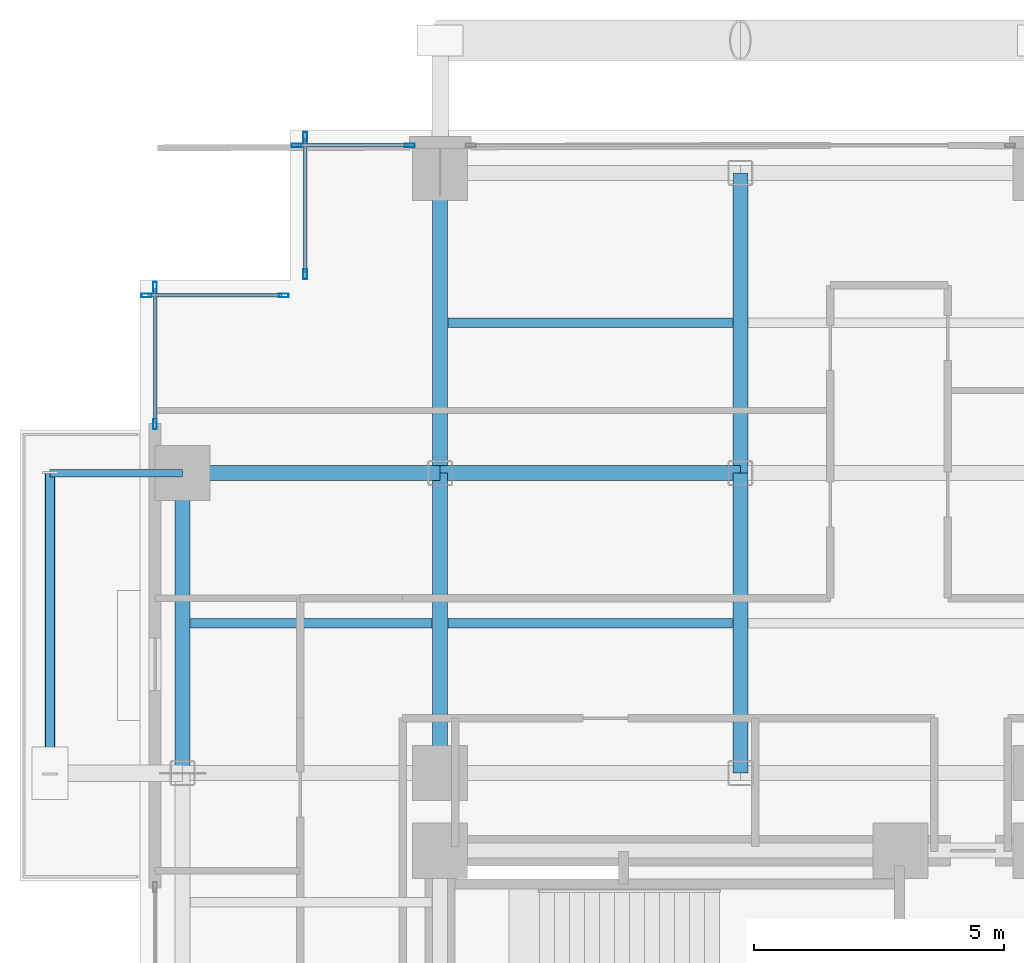
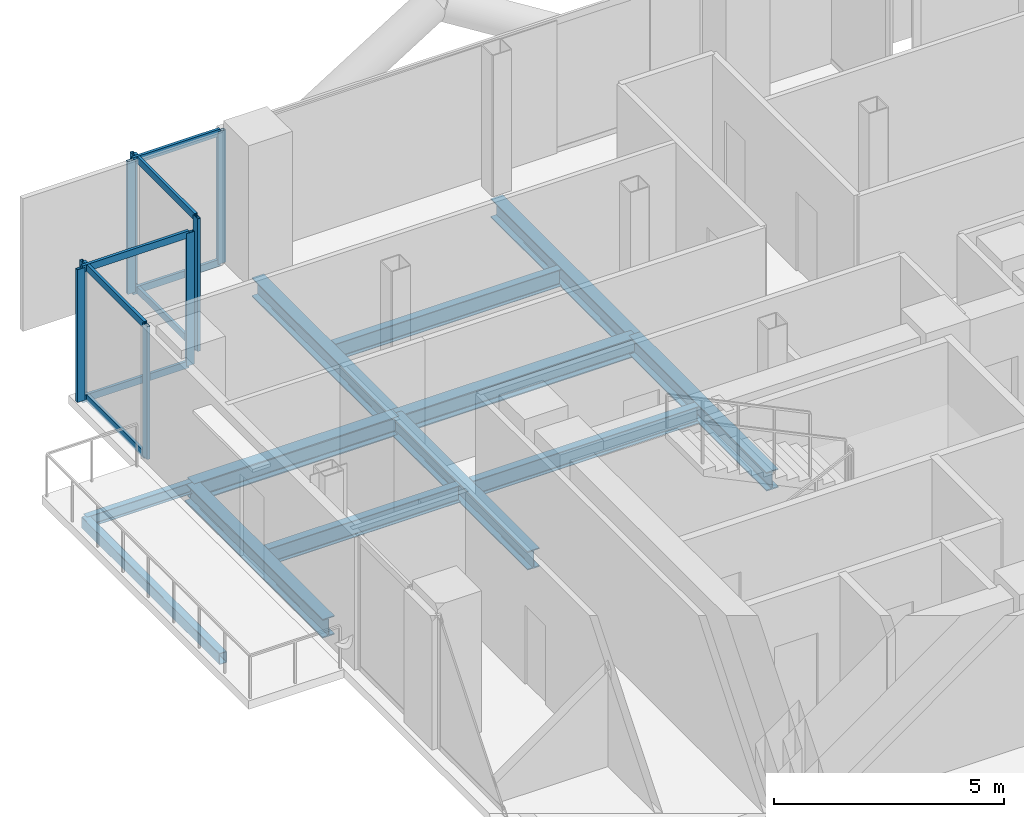
# One storey, part 15 of 28: 16 members, 12 beams, 4 elements without a shape of their own.
"""IFC4 building model written with IfcOpenShell, lengths in metres."""

from ifc_helpers import new_model, si_unit, direction, frame, origin, origin_2d, place, context, subcontext, project, spatial, hollow_rectangle, i_section, extrude, material, layer, layer_set, material_profile, profile_set, type_object, element, aggregate, save


model = new_model("IFC4")

# Units and contexts
model_context = context("Model", 3, precision=1e-05, world=origin(), true_north=direction((0.0, 1.0)))
body_context = subcontext(model_context, "Body", "Model", "MODEL_VIEW")
ifc_project = project(units=[si_unit("LENGTHUNIT", "METRE"), si_unit("AREAUNIT", "SQUARE_METRE"), si_unit("VOLUMEUNIT", "CUBIC_METRE"), si_unit("PLANEANGLEUNIT", "RADIAN"), si_unit("MASSUNIT", "GRAM", prefix="KILO"), si_unit("THERMODYNAMICTEMPERATUREUNIT", "KELVIN"), si_unit("POWERUNIT", "WATT")], contexts=[model_context])

# Site, building, storey
site_placement = place(None, origin())
site = spatial("IfcSite", under=ifc_project, at=site_placement, CompositionType="ELEMENT")
building_placement = place(site_placement, origin())
building = spatial("IfcBuilding", under=site, at=building_placement, Name="Svarakhadi Broadcast Tower", CompositionType="ELEMENT")
storey_placement = place(building_placement, frame((0.0, 0.0, 103.35009765625)))
storey = spatial("IfcBuildingStorey", under=building, at=storey_placement, Name="L24", CompositionType="ELEMENT", Elevation=103.35009765625)

# Beams
ifc_material_1 = material(Name="Steel S355J2 (IS 2062 E350C)", Category="steel")
ifc_material_profile_1 = material_profile(ifc_material_1, i_section(OverallWidth=0.18994140625, OverallDepth=0.449951171875, WebThickness=0.009521484375, FlangeThickness=0.0146484375, FilletRadius=0.02099609375, at=origin_2d()), Name="NPB 450x190x78")
ifc_profile_set_1 = profile_set([ifc_material_profile_1], Name="Steel S355J2 (IS 2062 E350C)")
beam_type_1 = type_object("IfcBeamType", Name="Beam_NPB450", PredefinedType="BEAM", material=ifc_profile_set_1)
beam_1_placement = place(storey_placement, frame((1.010009765625, 32.14990234375, -0.4501953125), z_axis=(1.0, 0.0, 0.0), x_axis=(0.0, 1.0, 0.0)))
element("IfcBeam", 1, at=beam_1_placement, inside=storey, type_object=beam_type_1, Name="L24 Secondary Composite Beam SB005", PredefinedType="BEAM", context=body_context, shape_type="SweptSolid", body=[
    extrude(i_section(OverallWidth=0.18994140625, OverallDepth=0.449951171875, WebThickness=0.009521484375, FlangeThickness=0.0146484375, FilletRadius=0.02099609375, at=origin_2d()), origin(), (0.0, 0.0, 1.0), 4.830078125),
])
for number, where, z_axis, x_axis, name in (
    (2, (6.159912109375, 32.14990234375, -0.4501953125), (1.0, 0.0, 0.0), (0.0, 1.0, 0.0), "L24 Secondary Composite Beam SB009"),
    (3, (6.159912109375, 38.14990234375, -0.4501953125), (1.0, 0.0, 0.0), (0.0, 1.0, 0.0), "L24 Secondary Composite Beam SB010"),
):
    element("IfcBeam", number, at=place(storey_placement, frame(where, z_axis=z_axis, x_axis=x_axis)), inside=storey, type_object=beam_type_1, Name=name, PredefinedType="BEAM", context=body_context, shape_type="SweptSolid", body=[
        extrude(i_section(OverallWidth=0.18994140625, OverallDepth=0.449951171875, WebThickness=0.009521484375, FlangeThickness=0.0146484375, FilletRadius=0.02099609375, at=origin_2d()), origin(), (0.0, 0.0, 1.0), 5.68017578125),
    ])

# Curtain wall, members
ifc_material_2 = material(Name="Anodised Bronze Aluminium AA 6063-T6", Category="aluminium")
ifc_layer = layer(ifc_material_2, 0.199951171875)
ifc_layer_set = layer_set([ifc_layer], Name="Anodised Bronze Aluminium AA 6063-T6")
curtain_wall_type = type_object("IfcCurtainWallType", Name="CW_Sys_03", PredefinedType="NOTDEFINED", material=ifc_layer_set)
curtain_wall_1_placement = place(storey_placement, origin())
curtain_wall_1 = element("IfcCurtainWall", 4, at=curtain_wall_1_placement, inside=storey, type_object=curtain_wall_type, Name="L24 West Curtain Wall 03", PredefinedType="NOTDEFINED")
ifc_material_profile_2 = material_profile(ifc_material_2, hollow_rectangle(XDim=0.074951171875, YDim=0.199951171875, WallThickness=0.005615234375, at=origin_2d()), Name="ALU MULLION 200x75x6")
ifc_profile_set_2 = profile_set([ifc_material_profile_2], Name="Anodised Bronze Aluminium AA 6063-T6")
member_type_1 = type_object("IfcMemberType", Name="CW_Sys_03_Mul", PredefinedType="MULLION", material=ifc_profile_set_2)
member_1_placement = place(storey_placement, frame((0.300048828125, 36.12744140625, 0.0), z_axis=(0.0, 0.0, 1.0), x_axis=(-1.0, 0.0, 0.0)))
member_1 = element("IfcMember", 5, at=member_1_placement, type_object=member_type_1, Name="CW-03 mullion 1", PredefinedType="MULLION", context=body_context, shape_type="SweptSolid", body=[
    extrude(hollow_rectangle(XDim=0.074951171875, YDim=0.199951171875, WallThickness=0.005615234375, at=origin_2d()), origin(), (0.0, 0.0, 1.0), 3.52490234375),
])
member_2_placement = place(storey_placement, frame((0.300048828125, 38.87255859375, 0.0), z_axis=(0.0, 0.0, 1.0), x_axis=(-1.0, 0.0, 0.0)))
member_2 = element("IfcMember", 6, at=member_2_placement, type_object=member_type_1, Name="CW-03 mullion 2", PredefinedType="MULLION", context=body_context, shape_type="SweptSolid", body=[
    extrude(hollow_rectangle(XDim=0.074951171875, YDim=0.199951171875, WallThickness=0.005615234375, at=origin_2d()), origin(), (0.0, 0.0, 1.0), 3.52490234375),
])

curtain_wall_2_placement = place(storey_placement, origin())
curtain_wall_2 = element("IfcCurtainWall", 7, at=curtain_wall_2_placement, inside=storey, type_object=curtain_wall_type, Name="L24 Unitised Facade Curtain Wall 04", PredefinedType="NOTDEFINED")
member_3_placement = place(storey_placement, frame((0.12744140625, 38.699951171875, 0.0), z_axis=(0.0, 0.0, 1.0), x_axis=(0.0, 1.0, 0.0)))
member_3 = element("IfcMember", 8, at=member_3_placement, type_object=member_type_1, Name="CW-03 mullion 1", PredefinedType="MULLION", context=body_context, shape_type="SweptSolid", body=[
    extrude(hollow_rectangle(XDim=0.074951171875, YDim=0.199951171875, WallThickness=0.005615234375, at=origin_2d()), origin(), (0.0, 0.0, 1.0), 3.52490234375),
])
member_4_placement = place(storey_placement, frame((2.87255859375, 38.699951171875, 0.0), z_axis=(0.0, 0.0, 1.0), x_axis=(0.0, 1.0, 0.0)))
member_4 = element("IfcMember", 9, at=member_4_placement, type_object=member_type_1, Name="CW-03 mullion 2", PredefinedType="MULLION", context=body_context, shape_type="SweptSolid", body=[
    extrude(hollow_rectangle(XDim=0.074951171875, YDim=0.199951171875, WallThickness=0.005615234375, at=origin_2d()), origin(), (0.0, 0.0, 1.0), 3.52490234375),
])

curtain_wall_3_placement = place(storey_placement, origin())
curtain_wall_3 = element("IfcCurtainWall", 10, at=curtain_wall_3_placement, inside=storey, type_object=curtain_wall_type, Name="L24 Unitised Facade Curtain Wall 05", PredefinedType="NOTDEFINED")
member_5_placement = place(storey_placement, frame((3.300048828125, 39.12744140625, 0.0), z_axis=(0.0, 0.0, 1.0), x_axis=(-1.0, 0.0, 0.0)))
member_5 = element("IfcMember", 11, at=member_5_placement, type_object=member_type_1, Name="CW-03 mullion 1", PredefinedType="MULLION", context=body_context, shape_type="SweptSolid", body=[
    extrude(hollow_rectangle(XDim=0.074951171875, YDim=0.199951171875, WallThickness=0.005615234375, at=origin_2d()), origin(), (0.0, 0.0, 1.0), 3.52490234375),
])
member_6_placement = place(storey_placement, frame((3.300048828125, 41.87255859375, 0.0), z_axis=(0.0, 0.0, 1.0), x_axis=(-1.0, 0.0, 0.0)))
member_6 = element("IfcMember", 12, at=member_6_placement, type_object=member_type_1, Name="CW-03 mullion 2", PredefinedType="MULLION", context=body_context, shape_type="SweptSolid", body=[
    extrude(hollow_rectangle(XDim=0.074951171875, YDim=0.199951171875, WallThickness=0.005615234375, at=origin_2d()), origin(), (0.0, 0.0, 1.0), 3.52490234375),
])

curtain_wall_4_placement = place(storey_placement, origin())
curtain_wall_4 = element("IfcCurtainWall", 13, at=curtain_wall_4_placement, inside=storey, type_object=curtain_wall_type, Name="L24 Unitised Facade Curtain Wall 06 Bay 1", PredefinedType="NOTDEFINED")
member_7_placement = place(storey_placement, frame((3.12744140625, 41.699951171875, 0.0), z_axis=(0.0, 0.0, 1.0), x_axis=(0.0, 1.0, 0.0)))
member_7 = element("IfcMember", 14, at=member_7_placement, type_object=member_type_1, Name="CW-03 mullion 1", PredefinedType="MULLION", context=body_context, shape_type="SweptSolid", body=[
    extrude(hollow_rectangle(XDim=0.074951171875, YDim=0.199951171875, WallThickness=0.005615234375, at=origin_2d()), origin(), (0.0, 0.0, 1.0), 3.52490234375),
])
member_8_placement = place(storey_placement, frame((5.392578125, 41.699951171875, 0.0), z_axis=(0.0, 0.0, 1.0), x_axis=(0.0, 1.0, 0.0)))
member_8 = element("IfcMember", 15, at=member_8_placement, type_object=member_type_1, Name="CW-03 mullion 2", PredefinedType="MULLION", context=body_context, shape_type="SweptSolid", body=[
    extrude(hollow_rectangle(XDim=0.074951171875, YDim=0.199951171875, WallThickness=0.005615234375, at=origin_2d()), origin(), (0.0, 0.0, 1.0), 3.52490234375),
])

# Member
ifc_material_profile_3 = material_profile(ifc_material_2, hollow_rectangle(XDim=0.070068359375, YDim=0.18505859375, WallThickness=0.0048828125, at=origin_2d()), Name="ALU TRANSOM 185x70x5")
ifc_profile_set_3 = profile_set([ifc_material_profile_3], Name="Anodised Bronze Aluminium AA 6063-T6")
member_type_2 = type_object("IfcMemberType", Name="CW_Sys_03_Trn", PredefinedType="USERDEFINED", material=ifc_profile_set_3)
member_9_placement = place(storey_placement, frame((0.300048828125, 36.1650390625, 0.034912109375), z_axis=(0.0, 1.0, 0.0), x_axis=(-1.0, 0.0, 0.0)))
member_9 = element("IfcMember", 16, at=member_9_placement, type_object=member_type_2, Name="CW-03 transom 1.1", ObjectType="TRANSOM", PredefinedType="USERDEFINED", context=body_context, shape_type="SweptSolid", body=[
    extrude(hollow_rectangle(XDim=0.070068359375, YDim=0.18505859375, WallThickness=0.0048828125, at=origin_2d()), origin(), (0.0, 0.0, 1.0), 2.669921875),
])

member_10_placement = place(storey_placement, frame((0.300048828125, 36.1650390625, 3.489990234375), z_axis=(0.0, 1.0, 0.0), x_axis=(-1.0, 0.0, 0.0)))
member_10 = element("IfcMember", 17, at=member_10_placement, type_object=member_type_2, Name="CW-03 transom 1.2", ObjectType="TRANSOM", PredefinedType="USERDEFINED", context=body_context, shape_type="SweptSolid", body=[
    extrude(hollow_rectangle(XDim=0.070068359375, YDim=0.18505859375, WallThickness=0.0048828125, at=origin_2d()), origin(), (0.0, 0.0, 1.0), 2.669921875),
])

aggregate(curtain_wall_1, [member_1, member_2, member_9, member_10])

member_11_placement = place(storey_placement, frame((0.1650390625, 38.699951171875, 0.034912109375), z_axis=(1.0, 0.0, 0.0), x_axis=(0.0, 1.0, 0.0)))
member_11 = element("IfcMember", 18, at=member_11_placement, type_object=member_type_2, Name="CW-03 transom 1.1", ObjectType="TRANSOM", PredefinedType="USERDEFINED", context=body_context, shape_type="SweptSolid", body=[
    extrude(hollow_rectangle(XDim=0.070068359375, YDim=0.18505859375, WallThickness=0.0048828125, at=origin_2d()), origin(), (0.0, 0.0, 1.0), 2.669921875),
])

member_12_placement = place(storey_placement, frame((0.1650390625, 38.699951171875, 3.489990234375), z_axis=(1.0, 0.0, 0.0), x_axis=(0.0, 1.0, 0.0)))
member_12 = element("IfcMember", 19, at=member_12_placement, type_object=member_type_2, Name="CW-03 transom 1.2", ObjectType="TRANSOM", PredefinedType="USERDEFINED", context=body_context, shape_type="SweptSolid", body=[
    extrude(hollow_rectangle(XDim=0.070068359375, YDim=0.18505859375, WallThickness=0.0048828125, at=origin_2d()), origin(), (0.0, 0.0, 1.0), 2.669921875),
])

aggregate(curtain_wall_2, [member_3, member_4, member_11, member_12])

member_13_placement = place(storey_placement, frame((3.300048828125, 39.1650390625, 0.034912109375), z_axis=(0.0, 1.0, 0.0), x_axis=(-1.0, 0.0, 0.0)))
member_13 = element("IfcMember", 20, at=member_13_placement, type_object=member_type_2, Name="CW-03 transom 1.1", ObjectType="TRANSOM", PredefinedType="USERDEFINED", context=body_context, shape_type="SweptSolid", body=[
    extrude(hollow_rectangle(XDim=0.070068359375, YDim=0.18505859375, WallThickness=0.0048828125, at=origin_2d()), origin(), (0.0, 0.0, 1.0), 2.669921875),
])

member_14_placement = place(storey_placement, frame((3.300048828125, 39.1650390625, 3.489990234375), z_axis=(0.0, 1.0, 0.0), x_axis=(-1.0, 0.0, 0.0)))
member_14 = element("IfcMember", 21, at=member_14_placement, type_object=member_type_2, Name="CW-03 transom 1.2", ObjectType="TRANSOM", PredefinedType="USERDEFINED", context=body_context, shape_type="SweptSolid", body=[
    extrude(hollow_rectangle(XDim=0.070068359375, YDim=0.18505859375, WallThickness=0.0048828125, at=origin_2d()), origin(), (0.0, 0.0, 1.0), 2.669921875),
])

aggregate(curtain_wall_3, [member_5, member_6, member_13, member_14])

member_15_placement = place(storey_placement, frame((3.1650390625, 41.699951171875, 0.034912109375), z_axis=(1.0, 0.0, 0.0), x_axis=(0.0, 1.0, 0.0)))
member_15 = element("IfcMember", 22, at=member_15_placement, type_object=member_type_2, Name="CW-03 transom 1.1", ObjectType="TRANSOM", PredefinedType="USERDEFINED", context=body_context, shape_type="SweptSolid", body=[
    extrude(hollow_rectangle(XDim=0.070068359375, YDim=0.18505859375, WallThickness=0.0048828125, at=origin_2d()), origin(), (0.0, 0.0, 1.0), 2.18994140625),
])

member_16_placement = place(storey_placement, frame((3.1650390625, 41.699951171875, 3.489990234375), z_axis=(1.0, 0.0, 0.0), x_axis=(0.0, 1.0, 0.0)))
member_16 = element("IfcMember", 23, at=member_16_placement, type_object=member_type_2, Name="CW-03 transom 1.2", ObjectType="TRANSOM", PredefinedType="USERDEFINED", context=body_context, shape_type="SweptSolid", body=[
    extrude(hollow_rectangle(XDim=0.070068359375, YDim=0.18505859375, WallThickness=0.0048828125, at=origin_2d()), origin(), (0.0, 0.0, 1.0), 2.18994140625),
])

aggregate(curtain_wall_4, [member_7, member_8, member_15, member_16])

# Beams
ifc_material_profile_4 = material_profile(ifc_material_1, i_section(OverallWidth=0.300048828125, OverallDepth=0.5, WebThickness=0.014404296875, FlangeThickness=0.028076171875, FilletRadius=0.027099609375, at=origin_2d()), Name="WPB 500x300x187")
ifc_profile_set_4 = profile_set([ifc_material_profile_4], Name="Steel S355J2 (IS 2062 E350C)")
beam_type_2 = type_object("IfcBeamType", Name="Girder_WPB500", PredefinedType="USERDEFINED", material=ifc_profile_set_4)
beam_2_placement = place(storey_placement, frame((0.85009765625, 35.14990234375, -0.47509765625), z_axis=(1.0, 0.0, 0.0), x_axis=(0.0, 1.0, 0.0)))
element("IfcBeam", 24, at=beam_2_placement, inside=storey, type_object=beam_type_2, Name="L24 Primary E-W Girder G035", ObjectType="GIRDER", PredefinedType="USERDEFINED", context=body_context, shape_type="SweptSolid", body=[
    extrude(i_section(OverallWidth=0.300048828125, OverallDepth=0.5, WebThickness=0.014404296875, FlangeThickness=0.028076171875, FilletRadius=0.027099609375, at=origin_2d()), origin(), (0.0, 0.0, 1.0), 5.14990234375),
])
for number, where, z_axis, x_axis, name in (
    (25, (6.0, 35.14990234375, -0.47509765625), (1.0, 0.0, 0.0), (0.0, 1.0, 0.0), "L24 Primary E-W Girder G036"),
    (26, (0.85009765625, 29.14990234375, -0.47509765625), (0.0, 1.0, 0.0), (-1.0, 0.0, 0.0), "L24 Primary N-S Girder G044"),
    (27, (6.0, 29.14990234375, -0.47509765625), (0.0, 1.0, 0.0), (-1.0, 0.0, 0.0), "L24 Primary N-S Girder G049"),
    (28, (6.0, 35.14990234375, -0.47509765625), (0.0, 1.0, 0.0), (-1.0, 0.0, 0.0), "L24 Primary N-S Girder G050"),
    (29, (12.0, 29.14990234375, -0.47509765625), (0.0, 1.0, 0.0), (-1.0, 0.0, 0.0), "L24 Primary N-S Girder G054"),
    (30, (12.0, 35.14990234375, -0.47509765625), (0.0, 1.0, 0.0), (-1.0, 0.0, 0.0), "L24 Primary N-S Girder G055"),
):
    element("IfcBeam", number, at=place(storey_placement, frame(where, z_axis=z_axis, x_axis=x_axis)), inside=storey, type_object=beam_type_2, Name=name, ObjectType="GIRDER", PredefinedType="USERDEFINED", context=body_context, shape_type="SweptSolid", body=[
        extrude(i_section(OverallWidth=0.300048828125, OverallDepth=0.5, WebThickness=0.014404296875, FlangeThickness=0.028076171875, FilletRadius=0.027099609375, at=origin_2d()), origin(), (0.0, 0.0, 1.0), 6.0),
    ])
ifc_material_profile_5 = material_profile(ifc_material_1, i_section(OverallWidth=0.14990234375, OverallDepth=0.300048828125, WebThickness=0.007080078125, FlangeThickness=0.0107421875, FilletRadius=0.014892578125, at=origin_2d()), Name="NPB 300x150x37")
ifc_profile_set_5 = profile_set([ifc_material_profile_5], Name="Steel S355J2 (IS 2062 E350C)")
beam_type_3 = type_object("IfcBeamType", Name="Spandrel_NPB300", PredefinedType="SPANDREL", material=ifc_profile_set_5)
beam_3_placement = place(storey_placement, frame((0.85009765625, 35.14990234375, -0.375), z_axis=(-1.0, 0.0, 0.0), x_axis=(0.0, -1.0, 0.0)))
element("IfcBeam", 31, at=beam_3_placement, inside=storey, type_object=beam_type_3, Name="L24 Balcony Cantilever Bracket 2B", PredefinedType="SPANDREL", context=body_context, shape_type="SweptSolid", body=[
    extrude(i_section(OverallWidth=0.14990234375, OverallDepth=0.300048828125, WebThickness=0.007080078125, FlangeThickness=0.0107421875, FilletRadius=0.014892578125, at=origin_2d()), origin(), (0.0, 0.0, 1.0), 2.650146484375),
])
ifc_material_3 = material(Name="Steel S460ML (IS 2062 E450BR)", Category="steel")
ifc_material_profile_6 = material_profile(ifc_material_3, hollow_rectangle(XDim=0.199951171875, YDim=0.300048828125, WallThickness=0.012451171875, InnerFilletRadius=0.012451171875, OuterFilletRadius=0.02490234375, at=origin_2d()), Name="RHS 300x200x12.5")
ifc_profile_set_6 = profile_set([ifc_material_profile_6], Name="Steel S460ML (IS 2062 E450BR)")
beam_type_4 = type_object("IfcBeamType", Name="Spandrel_RHS300", PredefinedType="SPANDREL", material=ifc_profile_set_6)
beam_4_placement = place(storey_placement, frame((-1.800048828125, 29.14990234375, -0.375), z_axis=(0.0, 1.0, 0.0), x_axis=(-1.0, 0.0, 0.0)))
element("IfcBeam", 32, at=beam_4_placement, inside=storey, type_object=beam_type_4, Name="L24 Balcony Outer Spandrel 2F", PredefinedType="SPANDREL", context=body_context, shape_type="SweptSolid", body=[
    extrude(hollow_rectangle(XDim=0.199951171875, YDim=0.300048828125, WallThickness=0.012451171875, InnerFilletRadius=0.012451171875, OuterFilletRadius=0.02490234375, at=origin_2d()), origin(), (0.0, 0.0, 1.0), 6.0),
])

save(model, "model.ifc")
